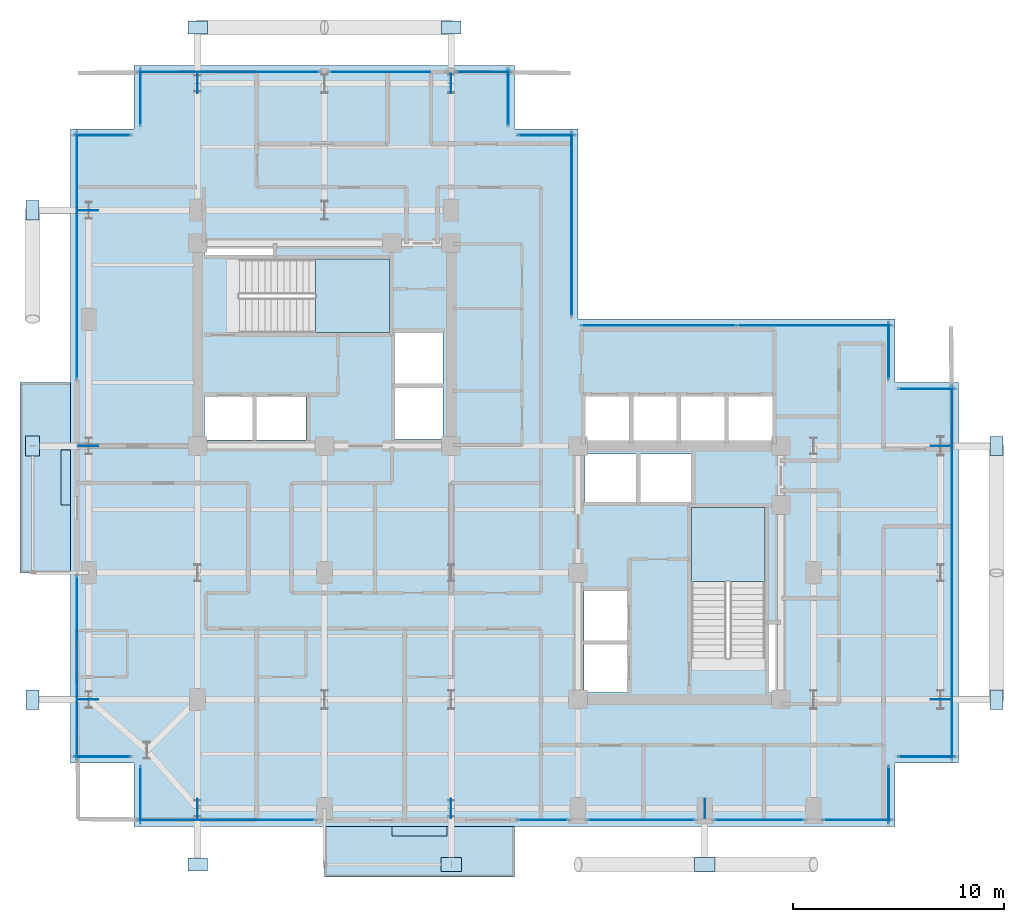
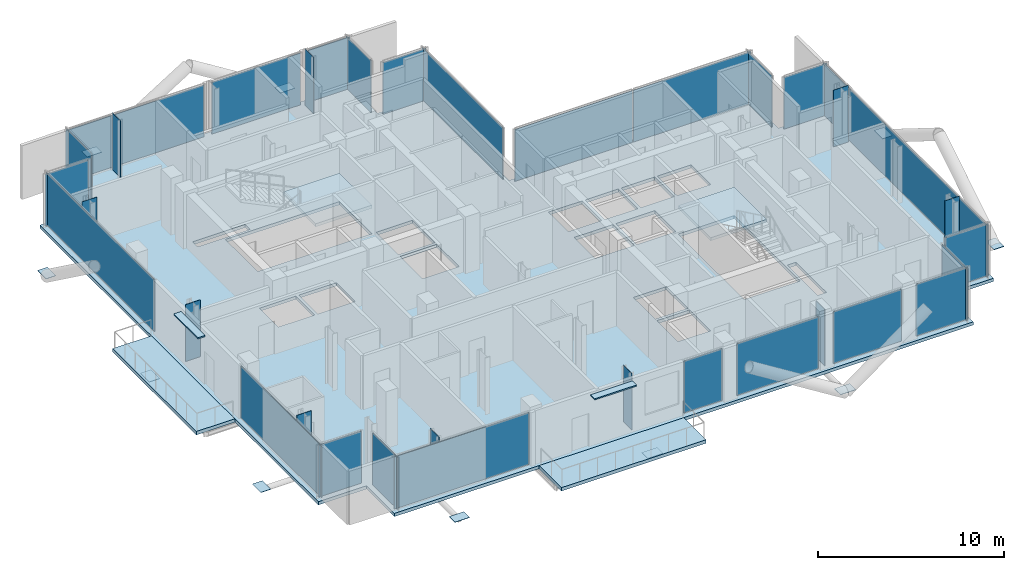
# One storey, part 15 of 22: 46 plates, 5 slabs, 25 elements without a shape of their own.
"""IFC4 building model written with IfcOpenShell, lengths in metres."""

from ifc_helpers import new_model, si_unit, direction, frame, origin, origin_2d, place, context, subcontext, project, spatial, polyline, rectangle, outline, extrude, material, layer, layer_set, type_object, element, aggregate, save


model = new_model("IFC4")

# Units and contexts
model_context = context("Model", 3, precision=1e-05, world=origin(), true_north=direction((0.0, 1.0)))
body_context = subcontext(model_context, "Body", "Model", "MODEL_VIEW")
ifc_project = project(units=[si_unit("LENGTHUNIT", "METRE"), si_unit("AREAUNIT", "SQUARE_METRE"), si_unit("VOLUMEUNIT", "CUBIC_METRE"), si_unit("PLANEANGLEUNIT", "RADIAN"), si_unit("MASSUNIT", "GRAM", prefix="KILO"), si_unit("THERMODYNAMICTEMPERATUREUNIT", "KELVIN"), si_unit("POWERUNIT", "WATT")], contexts=[model_context])

# Site, building, storey
site_placement = place(None, origin())
site = spatial("IfcSite", under=ifc_project, at=site_placement, CompositionType="ELEMENT")
building_placement = place(site_placement, origin())
building = spatial("IfcBuilding", under=site, at=building_placement, Name="Svarakhadi Broadcast Tower", CompositionType="ELEMENT")
storey_placement = place(building_placement, frame((0.0, 0.0, 172.949951171875)))
storey = spatial("IfcBuildingStorey", under=building, at=storey_placement, Name="L42", CompositionType="ELEMENT", Elevation=172.949951171875)

# Curtain wall, plate
ifc_material_1 = material(Name="Anodised Bronze Aluminium AA 6063-T6", Category="aluminium")
ifc_layer_1 = layer(ifc_material_1, 0.18994140625)
ifc_layer_set_1 = layer_set([ifc_layer_1], Name="Anodised Bronze Aluminium AA 6063-T6")
curtain_wall_type = type_object("IfcCurtainWallType", Name="CW_Sys_04", PredefinedType="NOTDEFINED", material=ifc_layer_set_1)
curtain_wall_1_placement = place(storey_placement, origin())
curtain_wall_1 = element("IfcCurtainWall", 1, at=curtain_wall_1_placement, inside=storey, type_object=curtain_wall_type, Name="L42 Unitised Facade Curtain Wall 01", PredefinedType="NOTDEFINED")
ifc_material_2 = material(Name="Double Low-E Laminated Acoustic Glass IGU 36 mm", Category="glass")
ifc_layer_2 = layer(ifc_material_2, 0.033935546875)
ifc_layer_set_2 = layer_set([ifc_layer_2], Name="Double Low-E Laminated Acoustic Glass IGU 36 mm")
plate_type_1 = type_object("IfcPlateType", Name="CW_Sys_04_Pnl", PredefinedType="CURTAIN_PANEL", material=ifc_layer_set_2)
plate_1_placement = place(storey_placement, frame((1.5, 3.300048828125, 0.06494140625), z_axis=(0.0, 0.0, 1.0), x_axis=(-1.0, 0.0, 0.0)))
plate_1 = element("IfcPlate", 2, at=plate_1_placement, type_object=plate_type_1, Name="CW-04 panel 1.1", PredefinedType="CURTAIN_PANEL", context=body_context, shape_type="SweptSolid", body=[
    extrude(rectangle(XDim=2.679931640625, YDim=0.033935546875, at=origin_2d()), origin(), (0.0, 0.0, 1.0), 3.409912109375),
])
aggregate(curtain_wall_1, [plate_1])

curtain_wall_2_placement = place(storey_placement, origin())
curtain_wall_2 = element("IfcCurtainWall", 3, at=curtain_wall_2_placement, inside=storey, type_object=curtain_wall_type, Name="L42 West Curtain Wall 02", PredefinedType="NOTDEFINED")
plate_2_placement = place(storey_placement, frame((0.300048828125, 7.5, 0.06494140625), z_axis=(0.0, 0.0, 1.0), x_axis=(0.0, 1.0, 0.0)))
plate_2 = element("IfcPlate", 4, at=plate_2_placement, type_object=plate_type_1, Name="CW-04 panel 1.1", PredefinedType="CURTAIN_PANEL", context=body_context, shape_type="SweptSolid", body=[
    extrude(rectangle(XDim=8.679931640625, YDim=0.033935546875, at=origin_2d()), origin(), (0.0, 0.0, 1.0), 3.409912109375),
])
aggregate(curtain_wall_2, [plate_2])

curtain_wall_3_placement = place(storey_placement, origin())
curtain_wall_3 = element("IfcCurtainWall", 5, at=curtain_wall_3_placement, inside=storey, type_object=curtain_wall_type, Name="L42 West Curtain Wall 03", PredefinedType="NOTDEFINED")
plate_3_placement = place(storey_placement, frame((0.300048828125, 27.0, 0.06494140625), z_axis=(0.0, 0.0, 1.0), x_axis=(0.0, 1.0, 0.0)))
plate_3 = element("IfcPlate", 6, at=plate_3_placement, type_object=plate_type_1, Name="CW-04 panel 1.1", PredefinedType="CURTAIN_PANEL", context=body_context, shape_type="SweptSolid", body=[
    extrude(rectangle(XDim=11.679931640625, YDim=0.033935546875, at=origin_2d()), origin(), (0.0, 0.0, 1.0), 3.409912109375),
])
aggregate(curtain_wall_3, [plate_3])

curtain_wall_4_placement = place(storey_placement, origin())
curtain_wall_4 = element("IfcCurtainWall", 7, at=curtain_wall_4_placement, inside=storey, type_object=curtain_wall_type, Name="L42 Unitised Facade Curtain Wall 04", PredefinedType="NOTDEFINED")
plate_4_placement = place(storey_placement, frame((1.5, 32.699951171875, 0.06494140625), z_axis=(0.0, 0.0, 1.0), x_axis=(1.0, 0.0, 0.0)))
plate_4 = element("IfcPlate", 8, at=plate_4_placement, type_object=plate_type_1, Name="CW-04 panel 1.1", PredefinedType="CURTAIN_PANEL", context=body_context, shape_type="SweptSolid", body=[
    extrude(rectangle(XDim=2.679931640625, YDim=0.033935546875, at=origin_2d()), origin(), (0.0, 0.0, 1.0), 3.409912109375),
])
aggregate(curtain_wall_4, [plate_4])

curtain_wall_5_placement = place(storey_placement, origin())
curtain_wall_5 = element("IfcCurtainWall", 9, at=curtain_wall_5_placement, inside=storey, type_object=curtain_wall_type, Name="L42 Unitised Facade Curtain Wall 05", PredefinedType="NOTDEFINED")
plate_5_placement = place(storey_placement, frame((3.300048828125, 34.5, 0.06494140625), z_axis=(0.0, 0.0, 1.0), x_axis=(0.0, 1.0, 0.0)))
plate_5 = element("IfcPlate", 10, at=plate_5_placement, type_object=plate_type_1, Name="CW-04 panel 1.1", PredefinedType="CURTAIN_PANEL", context=body_context, shape_type="SweptSolid", body=[
    extrude(rectangle(XDim=2.679931640625, YDim=0.033935546875, at=origin_2d()), origin(), (0.0, 0.0, 1.0), 3.409912109375),
])
aggregate(curtain_wall_5, [plate_5])

curtain_wall_6_placement = place(storey_placement, origin())
curtain_wall_6 = element("IfcCurtainWall", 11, at=curtain_wall_6_placement, inside=storey, type_object=curtain_wall_type, Name="L42 Unitised Facade Curtain Wall 06 Bay 1", PredefinedType="NOTDEFINED")
plate_6_placement = place(storey_placement, frame((7.4599609375, 35.699951171875, 0.06494140625), z_axis=(0.0, 0.0, 1.0), x_axis=(1.0, 0.0, 0.0)))
plate_6 = element("IfcPlate", 12, at=plate_6_placement, type_object=plate_type_1, Name="CW-04 panel 1.1", PredefinedType="CURTAIN_PANEL", context=body_context, shape_type="SweptSolid", body=[
    extrude(rectangle(XDim=8.60009765625, YDim=0.033935546875, at=origin_2d()), origin(), (0.0, 0.0, 1.0), 3.409912109375),
])
aggregate(curtain_wall_6, [plate_6])

curtain_wall_7_placement = place(storey_placement, origin())
curtain_wall_7 = element("IfcCurtainWall", 13, at=curtain_wall_7_placement, inside=storey, type_object=curtain_wall_type, Name="L42 Unitised Facade Curtain Wall 06 Bay 2", PredefinedType="NOTDEFINED")
plate_7_placement = place(storey_placement, frame((15.0, 35.699951171875, 0.06494140625), z_axis=(0.0, 0.0, 1.0), x_axis=(1.0, 0.0, 0.0)))
plate_7 = element("IfcPlate", 14, at=plate_7_placement, type_object=plate_type_1, Name="CW-04 panel 1.1", PredefinedType="CURTAIN_PANEL", context=body_context, shape_type="SweptSolid", body=[
    extrude(rectangle(XDim=5.52001953125, YDim=0.033935546875, at=origin_2d()), origin(), (0.0, 0.0, 1.0), 3.409912109375),
])
aggregate(curtain_wall_7, [plate_7])

curtain_wall_8_placement = place(storey_placement, origin())
curtain_wall_8 = element("IfcCurtainWall", 15, at=curtain_wall_8_placement, inside=storey, type_object=curtain_wall_type, Name="L42 Unitised Facade Curtain Wall 06 Bay 3", PredefinedType="NOTDEFINED")
plate_8_placement = place(storey_placement, frame((19.5400390625, 35.699951171875, 0.06494140625), z_axis=(0.0, 0.0, 1.0), x_axis=(1.0, 0.0, 0.0)))
plate_8 = element("IfcPlate", 16, at=plate_8_placement, type_object=plate_type_1, Name="CW-04 panel 1.1", PredefinedType="CURTAIN_PANEL", context=body_context, shape_type="SweptSolid", body=[
    extrude(rectangle(XDim=2.60009765625, YDim=0.033935546875, at=origin_2d()), origin(), (0.0, 0.0, 1.0), 3.409912109375),
])
aggregate(curtain_wall_8, [plate_8])

curtain_wall_9_placement = place(storey_placement, origin())
curtain_wall_9 = element("IfcCurtainWall", 17, at=curtain_wall_9_placement, inside=storey, type_object=curtain_wall_type, Name="L42 Unitised Facade Curtain Wall 07", PredefinedType="NOTDEFINED")
plate_9_placement = place(storey_placement, frame((20.699951171875, 34.5, 0.06494140625), z_axis=(0.0, 0.0, 1.0), x_axis=(0.0, -1.0, 0.0)))
plate_9 = element("IfcPlate", 18, at=plate_9_placement, type_object=plate_type_1, Name="CW-04 panel 1.1", PredefinedType="CURTAIN_PANEL", context=body_context, shape_type="SweptSolid", body=[
    extrude(rectangle(XDim=2.679931640625, YDim=0.033935546875, at=origin_2d()), origin(), (0.0, 0.0, 1.0), 3.409912109375),
])
aggregate(curtain_wall_9, [plate_9])

curtain_wall_10_placement = place(storey_placement, origin())
curtain_wall_10 = element("IfcCurtainWall", 19, at=curtain_wall_10_placement, inside=storey, type_object=curtain_wall_type, Name="L42 Unitised Facade Curtain Wall 08", PredefinedType="NOTDEFINED")
plate_10_placement = place(storey_placement, frame((22.5, 32.699951171875, 0.06494140625), z_axis=(0.0, 0.0, 1.0), x_axis=(1.0, 0.0, 0.0)))
plate_10 = element("IfcPlate", 20, at=plate_10_placement, type_object=plate_type_1, Name="CW-04 panel 1.1", PredefinedType="CURTAIN_PANEL", context=body_context, shape_type="SweptSolid", body=[
    extrude(rectangle(XDim=2.679931640625, YDim=0.033935546875, at=origin_2d()), origin(), (0.0, 0.0, 1.0), 3.409912109375),
])
aggregate(curtain_wall_10, [plate_10])

curtain_wall_11_placement = place(storey_placement, origin())
curtain_wall_11 = element("IfcCurtainWall", 21, at=curtain_wall_11_placement, inside=storey, type_object=curtain_wall_type, Name="L42 Unitised Facade Curtain Wall 09", PredefinedType="NOTDEFINED")
plate_11_placement = place(storey_placement, frame((23.699951171875, 28.5, 0.06494140625), z_axis=(0.0, 0.0, 1.0), x_axis=(0.0, -1.0, 0.0)))
plate_11 = element("IfcPlate", 22, at=plate_11_placement, type_object=plate_type_1, Name="CW-04 panel 1.1", PredefinedType="CURTAIN_PANEL", context=body_context, shape_type="SweptSolid", body=[
    extrude(rectangle(XDim=8.679931640625, YDim=0.033935546875, at=origin_2d()), origin(), (0.0, 0.0, 1.0), 3.409912109375),
])
aggregate(curtain_wall_11, [plate_11])

# Curtain wall, plates
curtain_wall_12_placement = place(storey_placement, origin())
curtain_wall_12 = element("IfcCurtainWall", 23, at=curtain_wall_12_placement, inside=storey, type_object=curtain_wall_type, Name="L42 Unitised Facade Curtain Wall 10", PredefinedType="NOTDEFINED")
plate_12_placement = place(storey_placement, frame((27.8125, 23.699951171875, 0.06494140625), z_axis=(0.0, 0.0, 1.0), x_axis=(1.0, 0.0, 0.0)))
plate_12 = element("IfcPlate", 24, at=plate_12_placement, type_object=plate_type_1, Name="CW-04 panel 1.1", PredefinedType="CURTAIN_PANEL", context=body_context, shape_type="SweptSolid", body=[
    extrude(rectangle(XDim=7.304931640625, YDim=0.033935546875, at=origin_2d()), origin(), (0.0, 0.0, 1.0), 3.409912109375),
])
plate_13_placement = place(storey_placement, frame((35.1875, 23.699951171875, 0.06494140625), z_axis=(0.0, 0.0, 1.0), x_axis=(1.0, 0.0, 0.0)))
plate_13 = element("IfcPlate", 25, at=plate_13_placement, type_object=plate_type_1, Name="CW-04 panel 2.1", PredefinedType="CURTAIN_PANEL", context=body_context, shape_type="SweptSolid", body=[
    extrude(rectangle(XDim=7.304931640625, YDim=0.033935546875, at=origin_2d()), origin(), (0.0, 0.0, 1.0), 3.409912109375),
])
aggregate(curtain_wall_12, [plate_12, plate_13])

# Curtain wall, plate
curtain_wall_13_placement = place(storey_placement, origin())
curtain_wall_13 = element("IfcCurtainWall", 26, at=curtain_wall_13_placement, inside=storey, type_object=curtain_wall_type, Name="L42 Unitised Facade Curtain Wall 11", PredefinedType="NOTDEFINED")
plate_14_placement = place(storey_placement, frame((38.699951171875, 22.5, 0.06494140625), z_axis=(0.0, 0.0, 1.0), x_axis=(0.0, -1.0, 0.0)))
plate_14 = element("IfcPlate", 27, at=plate_14_placement, type_object=plate_type_1, Name="CW-04 panel 1.1", PredefinedType="CURTAIN_PANEL", context=body_context, shape_type="SweptSolid", body=[
    extrude(rectangle(XDim=2.679931640625, YDim=0.033935546875, at=origin_2d()), origin(), (0.0, 0.0, 1.0), 3.409912109375),
])
aggregate(curtain_wall_13, [plate_14])

curtain_wall_14_placement = place(storey_placement, origin())
curtain_wall_14 = element("IfcCurtainWall", 28, at=curtain_wall_14_placement, inside=storey, type_object=curtain_wall_type, Name="L42 Unitised Facade Curtain Wall 12", PredefinedType="NOTDEFINED")
plate_15_placement = place(storey_placement, frame((40.5, 20.699951171875, 0.06494140625), z_axis=(0.0, 0.0, 1.0), x_axis=(1.0, 0.0, 0.0)))
plate_15 = element("IfcPlate", 29, at=plate_15_placement, type_object=plate_type_1, Name="CW-04 panel 1.1", PredefinedType="CURTAIN_PANEL", context=body_context, shape_type="SweptSolid", body=[
    extrude(rectangle(XDim=2.679931640625, YDim=0.033935546875, at=origin_2d()), origin(), (0.0, 0.0, 1.0), 3.409912109375),
])
aggregate(curtain_wall_14, [plate_15])

curtain_wall_15_placement = place(storey_placement, origin())
curtain_wall_15 = element("IfcCurtainWall", 30, at=curtain_wall_15_placement, inside=storey, type_object=curtain_wall_type, Name="L42 Unitised Facade Curtain Wall 13", PredefinedType="NOTDEFINED")
plate_16_placement = place(storey_placement, frame((41.699951171875, 12.0, 0.06494140625), z_axis=(0.0, 0.0, 1.0), x_axis=(0.0, -1.0, 0.0)))
plate_16 = element("IfcPlate", 31, at=plate_16_placement, type_object=plate_type_1, Name="CW-04 panel 1.1", PredefinedType="CURTAIN_PANEL", context=body_context, shape_type="SweptSolid", body=[
    extrude(rectangle(XDim=17.679931640625, YDim=0.033935546875, at=origin_2d()), origin(), (0.0, 0.0, 1.0), 3.409912109375),
])
aggregate(curtain_wall_15, [plate_16])

curtain_wall_16_placement = place(storey_placement, origin())
curtain_wall_16 = element("IfcCurtainWall", 32, at=curtain_wall_16_placement, inside=storey, type_object=curtain_wall_type, Name="L42 Unitised Facade Curtain Wall 14", PredefinedType="NOTDEFINED")
plate_17_placement = place(storey_placement, frame((40.5, 3.300048828125, 0.06494140625), z_axis=(0.0, 0.0, 1.0), x_axis=(-1.0, 0.0, 0.0)))
plate_17 = element("IfcPlate", 33, at=plate_17_placement, type_object=plate_type_1, Name="CW-04 panel 1.1", PredefinedType="CURTAIN_PANEL", context=body_context, shape_type="SweptSolid", body=[
    extrude(rectangle(XDim=2.679931640625, YDim=0.033935546875, at=origin_2d()), origin(), (0.0, 0.0, 1.0), 3.409912109375),
])
aggregate(curtain_wall_16, [plate_17])

curtain_wall_17_placement = place(storey_placement, origin())
curtain_wall_17 = element("IfcCurtainWall", 34, at=curtain_wall_17_placement, inside=storey, type_object=curtain_wall_type, Name="L42 Unitised Facade Curtain Wall 15", PredefinedType="NOTDEFINED")
plate_18_placement = place(storey_placement, frame((38.699951171875, 1.5, 0.06494140625), z_axis=(0.0, 0.0, 1.0), x_axis=(0.0, -1.0, 0.0)))
plate_18 = element("IfcPlate", 35, at=plate_18_placement, type_object=plate_type_1, Name="CW-04 panel 1.1", PredefinedType="CURTAIN_PANEL", context=body_context, shape_type="SweptSolid", body=[
    extrude(rectangle(XDim=2.679931640625, YDim=0.033935546875, at=origin_2d()), origin(), (0.0, 0.0, 1.0), 3.409912109375),
])
aggregate(curtain_wall_17, [plate_18])

curtain_wall_18_placement = place(storey_placement, origin())
curtain_wall_18 = element("IfcCurtainWall", 36, at=curtain_wall_18_placement, inside=storey, type_object=curtain_wall_type, Name="L42 South Curtain Wall 16 Bay 1", PredefinedType="NOTDEFINED")
plate_19_placement = place(storey_placement, frame((37.2275390625, 0.300048828125, 0.06494140625), z_axis=(0.0, 0.0, 1.0), x_axis=(-1.0, 0.0, 0.0)))
plate_19 = element("IfcPlate", 37, at=plate_19_placement, type_object=plate_type_1, Name="CW-04 panel 1.1", PredefinedType="CURTAIN_PANEL", context=body_context, shape_type="SweptSolid", body=[
    extrude(rectangle(XDim=3.22509765625, YDim=0.033935546875, at=origin_2d()), origin(), (0.0, 0.0, 1.0), 3.409912109375),
])
aggregate(curtain_wall_18, [plate_19])

curtain_wall_19_placement = place(storey_placement, origin())
curtain_wall_19 = element("IfcCurtainWall", 38, at=curtain_wall_19_placement, inside=storey, type_object=curtain_wall_type, Name="L42 South Curtain Wall 16 Bay 2", PredefinedType="NOTDEFINED")
plate_20_placement = place(storey_placement, frame((32.574951171875, 0.300048828125, 0.06494140625), z_axis=(0.0, 0.0, 1.0), x_axis=(-1.0, 0.0, 0.0)))
plate_20 = element("IfcPlate", 39, at=plate_20_placement, type_object=plate_type_1, Name="CW-04 panel 1.1", PredefinedType="CURTAIN_PANEL", context=body_context, shape_type="SweptSolid", body=[
    extrude(rectangle(XDim=4.219970703125, YDim=0.033935546875, at=origin_2d()), origin(), (0.0, 0.0, 1.0), 3.409912109375),
])
aggregate(curtain_wall_19, [plate_20])

curtain_wall_20_placement = place(storey_placement, origin())
curtain_wall_20 = element("IfcCurtainWall", 40, at=curtain_wall_20_placement, inside=storey, type_object=curtain_wall_type, Name="L42 South Curtain Wall 16 Bay 3", PredefinedType="NOTDEFINED")
plate_21_placement = place(storey_placement, frame((27.0, 0.300048828125, 0.06494140625), z_axis=(0.0, 0.0, 1.0), x_axis=(-1.0, 0.0, 0.0)))
plate_21 = element("IfcPlate", 41, at=plate_21_placement, type_object=plate_type_1, Name="CW-04 panel 1.1", PredefinedType="CURTAIN_PANEL", context=body_context, shape_type="SweptSolid", body=[
    extrude(rectangle(XDim=5.070068359375, YDim=0.033935546875, at=origin_2d()), origin(), (0.0, 0.0, 1.0), 3.409912109375),
])
aggregate(curtain_wall_20, [plate_21])

curtain_wall_21_placement = place(storey_placement, origin())
curtain_wall_21 = element("IfcCurtainWall", 42, at=curtain_wall_21_placement, inside=storey, type_object=curtain_wall_type, Name="L42 South Curtain Wall 16 Bay 4", PredefinedType="NOTDEFINED")
plate_22_placement = place(storey_placement, frame((22.347412109375, 0.300048828125, 0.06494140625), z_axis=(0.0, 0.0, 1.0), x_axis=(-1.0, 0.0, 0.0)))
plate_22 = element("IfcPlate", 43, at=plate_22_placement, type_object=plate_type_1, Name="CW-04 panel 1.1", PredefinedType="CURTAIN_PANEL", context=body_context, shape_type="SweptSolid", body=[
    extrude(rectangle(XDim=2.375, YDim=0.033935546875, at=origin_2d()), origin(), (0.0, 0.0, 1.0), 3.409912109375),
])
aggregate(curtain_wall_21, [plate_22])

curtain_wall_22_placement = place(storey_placement, origin())
curtain_wall_22 = element("IfcCurtainWall", 44, at=curtain_wall_22_placement, inside=storey, type_object=curtain_wall_type, Name="L42 South Curtain Wall 17", PredefinedType="NOTDEFINED")
plate_23_placement = place(storey_placement, frame((7.347412109375, 0.300048828125, 0.06494140625), z_axis=(0.0, 0.0, 1.0), x_axis=(-1.0, 0.0, 0.0)))
plate_23 = element("IfcPlate", 45, at=plate_23_placement, type_object=plate_type_1, Name="CW-04 panel 1.1", PredefinedType="CURTAIN_PANEL", context=body_context, shape_type="SweptSolid", body=[
    extrude(rectangle(XDim=8.375, YDim=0.033935546875, at=origin_2d()), origin(), (0.0, 0.0, 1.0), 3.409912109375),
])
aggregate(curtain_wall_22, [plate_23])

curtain_wall_23_placement = place(storey_placement, origin())
curtain_wall_23 = element("IfcCurtainWall", 46, at=curtain_wall_23_placement, inside=storey, type_object=curtain_wall_type, Name="L42 Unitised Facade Curtain Wall 18", PredefinedType="NOTDEFINED")
plate_24_placement = place(storey_placement, frame((3.300048828125, 1.5, 0.06494140625), z_axis=(0.0, 0.0, 1.0), x_axis=(0.0, 1.0, 0.0)))
plate_24 = element("IfcPlate", 47, at=plate_24_placement, type_object=plate_type_1, Name="CW-04 panel 1.1", PredefinedType="CURTAIN_PANEL", context=body_context, shape_type="SweptSolid", body=[
    extrude(rectangle(XDim=2.679931640625, YDim=0.033935546875, at=origin_2d()), origin(), (0.0, 0.0, 1.0), 3.409912109375),
])
aggregate(curtain_wall_23, [plate_24])

# Plates
ifc_material_3 = material(Name="Steel S460ML (IS 2062 E450BR)", Category="steel")
ifc_layer_3 = layer(ifc_material_3, 0.028076171875)
ifc_layer_set_3 = layer_set([ifc_layer_3], Name="Steel S460ML (IS 2062 E450BR)")
plate_type_2 = type_object("IfcPlateType", Name="Node_Gusset_N03", PredefinedType="SHEET", material=ifc_layer_set_3)
for number, where, z_axis, x_axis, name in (
    (48, (18.0, -1.800048828125, -0.2099609375), (0.0, 0.0, 1.0), (1.0, 0.0, 0.0), "L42 Exoskeleton Gusset Node Plate S02"),
    (49, (30.0, -1.800048828125, -0.2099609375), (0.0, 0.0, 1.0), (1.0, 0.0, 0.0), "L42 Exoskeleton Gusset Node Plate S03"),
    (50, (-1.800048828125, 18.0, -0.2099609375), (0.0, 0.0, 1.0), (0.0, 1.0, 0.0), "L42 Exoskeleton Gusset Node Plate W05"),
):
    element("IfcPlate", number, at=place(storey_placement, frame(where, z_axis=z_axis, x_axis=x_axis)), inside=storey, type_object=plate_type_2, Name=name, PredefinedType="SHEET", context=body_context, shape_type="SweptSolid", body=[
        extrude(rectangle(XDim=0.9599609375, YDim=0.659912109375, at=origin_2d()), origin(), (0.0, 0.0, 1.0), 0.028076171875),
    ])
ifc_layer_4 = layer(ifc_material_3, 0.02587890625)
ifc_layer_set_4 = layer_set([ifc_layer_4], Name="Steel S460ML (IS 2062 E450BR)")
plate_type_3 = type_object("IfcPlateType", Name="Node_Gusset_N07", PredefinedType="SHEET", material=ifc_layer_set_4)
for number, where, z_axis, x_axis, name in (
    (51, (6.0, -1.800048828125, -0.2099609375), (0.0, 0.0, 1.0), (1.0, 0.0, 0.0), "L42 Exoskeleton Gusset Node Plate S01"),
    (52, (-1.800048828125, 6.0, -0.2099609375), (0.0, 0.0, 1.0), (0.0, 1.0, 0.0), "L42 Exoskeleton Gusset Node Plate W04"),
    (53, (-1.800048828125, 29.14990234375, -0.2099609375), (0.0, 0.0, 1.0), (0.0, 1.0, 0.0), "L42 Exoskeleton Gusset Node Plate W06"),
    (54, (43.800048828125, 6.0, -0.2099609375), (0.0, 0.0, 1.0), (0.0, 1.0, 0.0), "L42 Exoskeleton Gusset Node Plate E07"),
    (55, (43.800048828125, 18.0, -0.2099609375), (0.0, 0.0, 1.0), (0.0, 1.0, 0.0), "L42 Exoskeleton Gusset Node Plate E08"),
    (56, (6.0, 37.800048828125, -0.2099609375), (0.0, 0.0, 1.0), (1.0, 0.0, 0.0), "L42 Exoskeleton Gusset Node Plate N09"),
    (57, (18.0, 37.800048828125, -0.2099609375), (0.0, 0.0, 1.0), (1.0, 0.0, 0.0), "L42 Exoskeleton Gusset Node Plate N10"),
):
    element("IfcPlate", number, at=place(storey_placement, frame(where, z_axis=z_axis, x_axis=x_axis)), inside=storey, type_object=plate_type_3, Name=name, PredefinedType="SHEET", context=body_context, shape_type="SweptSolid", body=[
        extrude(rectangle(XDim=0.919921875, YDim=0.6201171875, at=origin_2d()), origin(), (0.0, 0.0, 1.0), 0.02587890625),
    ])
for number, where, z_axis, x_axis, name in (
    (58, (6.0, 0.85009765625, -0.57177734375), (0.0, 0.0, 1.0), (0.0, 1.0, 0.0), "L42 Brace End Connection Gusset Plate N-07-E0348"),
    (59, (18.0, 0.85009765625, -0.57177734375), (0.0, 0.0, 1.0), (0.0, 1.0, 0.0), "L42 Brace End Connection Gusset Plate N-07-E0349"),
    (60, (30.0, 0.85009765625, -0.57177734375), (0.0, 0.0, 1.0), (0.0, 1.0, 0.0), "L42 Brace End Connection Gusset Plate N-07-E0350"),
    (61, (0.85009765625, 6.0, -0.57177734375), (0.0, 0.0, 1.0), (1.0, 0.0, 0.0), "L42 Brace End Connection Gusset Plate N-07-E0351"),
    (62, (0.85009765625, 18.0, -0.57177734375), (0.0, 0.0, 1.0), (1.0, 0.0, 0.0), "L42 Brace End Connection Gusset Plate N-07-E0352"),
    (63, (0.85009765625, 29.14990234375, -0.57177734375), (0.0, 0.0, 1.0), (1.0, 0.0, 0.0), "L42 Brace End Connection Gusset Plate N-07-E0353"),
    (64, (41.14990234375, 6.0, -0.57177734375), (0.0, 0.0, 1.0), (1.0, 0.0, 0.0), "L42 Brace End Connection Gusset Plate N-07-E0354"),
    (65, (41.14990234375, 18.0, -0.57177734375), (0.0, 0.0, 1.0), (1.0, 0.0, 0.0), "L42 Brace End Connection Gusset Plate N-07-E0355"),
    (66, (6.0, 35.14990234375, -0.57177734375), (0.0, 0.0, 1.0), (0.0, 1.0, 0.0), "L42 Brace End Connection Gusset Plate N-07-E0356"),
    (67, (18.0, 35.14990234375, -0.57177734375), (0.0, 0.0, 1.0), (0.0, 1.0, 0.0), "L42 Brace End Connection Gusset Plate N-07-E0357"),
):
    element("IfcPlate", number, at=place(storey_placement, frame(where, z_axis=z_axis, x_axis=x_axis)), inside=storey, type_object=plate_type_3, Name=name, PredefinedType="SHEET", context=body_context, shape_type="SweptSolid", body=[
        extrude(rectangle(XDim=0.919921875, YDim=0.02587890625, at=origin_2d()), origin(), (0.0, 0.0, 1.0), 4.300048828125),
    ])

# Slab
ifc_material_4 = material(Name="Concrete C40/50 (IS 456 M50)", Category="concrete")
ifc_layer_5 = layer(ifc_material_4, 0.2099609375)
ifc_layer_set_5 = layer_set([ifc_layer_5], Name="Concrete C40/50 (IS 456 M50)")
slab_type_1 = type_object("IfcSlabType", Name="Slab_Floor_210", PredefinedType="FLOOR", material=ifc_layer_set_5)
slab_1_placement = place(storey_placement, frame((0.0, 0.0, -0.2099609375)))
element("IfcSlab", 68, at=slab_1_placement, inside=storey, type_object=slab_type_1, Name="L42 Structural Floor Slab", PredefinedType="FLOOR", context=body_context, shape_type="SweptSolid", body=[
    extrude(outline(polyline([(3.0, 0.0), (39.0, 0.0), (39.0, 3.0), (42.0, 3.0), (42.0, 21.0), (39.0, 21.0), (39.0, 24.0), (24.0, 24.0), (24.0, 33.0), (21.0, 33.0), (21.0, 36.0), (3.0, 36.0), (3.0, 33.0), (0.0, 33.0), (0.0, 3.0), (3.0, 3.0), (3.0, 0.0)]), holes=[polyline([(7.97998046875, 23.360107421875), (15.080078125, 23.360107421875), (15.080078125, 26.840087890625), (7.97998046875, 26.840087890625), (7.97998046875, 23.360107421875)]), polyline([(32.840087890625, 7.97998046875), (32.840087890625, 15.080078125), (29.360107421875, 15.080078125), (29.360107421875, 7.97998046875), (32.840087890625, 7.97998046875)]), polyline([(6.340087890625, 18.2900390625), (8.610107421875, 18.2900390625), (8.610107421875, 20.330078125), (6.340087890625, 20.330078125), (6.340087890625, 18.2900390625)]), polyline([(8.7900390625, 18.2900390625), (11.1298828125, 18.2900390625), (11.1298828125, 20.330078125), (8.7900390625, 20.330078125), (8.7900390625, 18.2900390625)]), polyline([(24.2900390625, 6.340087890625), (26.330078125, 6.340087890625), (26.330078125, 8.610107421875), (24.2900390625, 8.610107421875), (24.2900390625, 6.340087890625)]), polyline([(24.2900390625, 8.7900390625), (26.330078125, 8.7900390625), (26.330078125, 11.1298828125), (24.2900390625, 11.1298828125), (24.2900390625, 8.7900390625)]), polyline([(6.340087890625, 26.989990234375), (9.610107421875, 26.989990234375), (9.610107421875, 27.530029296875), (6.340087890625, 27.530029296875), (6.340087890625, 26.989990234375)]), polyline([(32.989990234375, 6.340087890625), (33.530029296875, 6.340087890625), (33.530029296875, 9.610107421875), (32.989990234375, 9.610107421875), (32.989990234375, 6.340087890625)]), polyline([(15.340087890625, 18.340087890625), (17.610107421875, 18.340087890625), (17.610107421875, 20.760009765625), (15.340087890625, 20.760009765625), (15.340087890625, 18.340087890625)]), polyline([(15.340087890625, 20.93994140625), (17.610107421875, 20.93994140625), (17.610107421875, 23.360107421875), (15.340087890625, 23.360107421875), (15.340087890625, 20.93994140625)]), polyline([(24.340087890625, 15.340087890625), (26.760009765625, 15.340087890625), (26.760009765625, 17.610107421875), (24.340087890625, 17.610107421875), (24.340087890625, 15.340087890625)]), polyline([(26.93994140625, 15.340087890625), (29.360107421875, 15.340087890625), (29.360107421875, 17.610107421875), (26.93994140625, 17.610107421875), (26.93994140625, 15.340087890625)]), polyline([(24.340087890625, 18.239990234375), (26.429931640625, 18.239990234375), (26.429931640625, 20.360107421875), (24.340087890625, 20.360107421875), (24.340087890625, 18.239990234375)]), polyline([(26.610107421875, 18.239990234375), (28.679931640625, 18.239990234375), (28.679931640625, 20.360107421875), (26.610107421875, 20.360107421875), (26.610107421875, 18.239990234375)]), polyline([(28.860107421875, 18.239990234375), (30.929931640625, 18.239990234375), (30.929931640625, 20.360107421875), (28.860107421875, 20.360107421875), (28.860107421875, 18.239990234375)]), polyline([(31.110107421875, 18.239990234375), (33.2099609375, 18.239990234375), (33.2099609375, 20.360107421875), (31.110107421875, 20.360107421875), (31.110107421875, 18.239990234375)])]), origin(), (0.0, 0.0, 1.0), 0.2099609375),
])

# Stair, slab
stair_type = type_object("IfcStairType", Name="Stair_Exit_Core", PredefinedType="HALF_TURN_STAIR", material=ifc_material_4)
stair_1_placement = place(storey_placement, origin())
stair_1 = element("IfcStair", 69, at=stair_1_placement, inside=storey, type_object=stair_type, Name="L42 West Core Protected Exit Stair ST-01", PredefinedType="HALF_TURN_STAIR")
ifc_layer_6 = layer(ifc_material_4, 0.199951171875)
ifc_layer_set_6 = layer_set([ifc_layer_6], Name="Concrete C40/50 (IS 456 M50)")
slab_type_2 = type_object("IfcSlabType", Name="Slab_Stair_Land", PredefinedType="LANDING", material=ifc_layer_set_6)
slab_2_placement = place(storey_placement, frame((0.0, 0.0, 1.675048828125)))
slab_2 = element("IfcSlab", 70, at=slab_2_placement, type_object=slab_type_2, Name="ST-01 landing 1", PredefinedType="LANDING", context=body_context, shape_type="SweptSolid", body=[
    extrude(outline(polyline([(11.580078125, 23.360107421875), (15.080078125, 23.360107421875), (15.080078125, 26.840087890625), (11.580078125, 26.840087890625), (11.580078125, 23.360107421875)])), origin(), (0.0, 0.0, 1.0), 0.199951171875),
])
aggregate(stair_1, [slab_2])

stair_2_placement = place(storey_placement, origin())
stair_2 = element("IfcStair", 71, at=stair_2_placement, inside=storey, type_object=stair_type, Name="L42 East Core Protected Exit Stair ST-02", PredefinedType="HALF_TURN_STAIR")
slab_3_placement = place(storey_placement, frame((0.0, 0.0, 1.675048828125)))
slab_3 = element("IfcSlab", 72, at=slab_3_placement, type_object=slab_type_2, Name="ST-02 landing 1", PredefinedType="LANDING", context=body_context, shape_type="SweptSolid", body=[
    extrude(outline(polyline([(32.840087890625, 11.580078125), (32.840087890625, 15.080078125), (29.360107421875, 15.080078125), (29.360107421875, 11.580078125), (32.840087890625, 11.580078125)])), origin(), (0.0, 0.0, 1.0), 0.199951171875),
])
aggregate(stair_2, [slab_3])

# Slabs
ifc_layer_7 = layer(ifc_material_4, 0.22509765625)
ifc_layer_set_7 = layer_set([ifc_layer_7], Name="Concrete C40/50 (IS 456 M50)")
slab_type_3 = type_object("IfcSlabType", Name="Slab_TreeBalcony", PredefinedType="FLOOR", material=ifc_layer_set_7)
slab_4_placement = place(storey_placement, frame((0.0, 0.0, -0.224853515625)))
element("IfcSlab", 73, at=slab_4_placement, inside=storey, type_object=slab_type_3, Name="L42 Planted Tree Balcony Slab BAL-S", PredefinedType="FLOOR", context=body_context, shape_type="SweptSolid", body=[
    extrude(outline(polyline([(12.0, -2.39990234375), (21.0, -2.39990234375), (21.0, 0.0), (12.0, 0.0), (12.0, -2.39990234375)])), origin(), (0.0, 0.0, 1.0), 0.224853515625),
])
slab_5_placement = place(storey_placement, frame((0.0, 0.0, -0.224853515625)))
element("IfcSlab", 74, at=slab_5_placement, inside=storey, type_object=slab_type_3, Name="L42 Planted Tree Balcony Slab BAL-W", PredefinedType="FLOOR", context=body_context, shape_type="SweptSolid", body=[
    extrude(outline(polyline([(-2.39990234375, 12.0), (0.0, 12.0), (0.0, 21.0), (-2.39990234375, 21.0), (-2.39990234375, 12.0)])), origin(), (0.0, 0.0, 1.0), 0.224853515625),
])

# Plates
ifc_layer_8 = layer(ifc_material_1, 0.080078125)
ifc_layer_set_8 = layer_set([ifc_layer_8], Name="Anodised Bronze Aluminium AA 6063-T6")
plate_type_4 = type_object("IfcPlateType", Name="Sunshade_Fin_SS01", PredefinedType="USERDEFINED", material=ifc_layer_set_8)
for number, where, z_axis, x_axis, name in (
    (75, (16.5, -0.22509765625, 3.4599609375), (0.0, 0.0, 1.0), (1.0, 0.0, 0.0), "L42 South Bronze Brise-Soleil Sunshade SS-01"),
    (76, (-0.22509765625, 16.5, 3.4599609375), (0.0, 0.0, 1.0), (0.0, 1.0, 0.0), "L42 West Bronze Brise-Soleil Sunshade SS-01"),
):
    element("IfcPlate", number, at=place(storey_placement, frame(where, z_axis=z_axis, x_axis=x_axis)), inside=storey, type_object=plate_type_4, Name=name, ObjectType="SUNSHADE", PredefinedType="USERDEFINED", context=body_context, shape_type="SweptSolid", body=[
        extrude(rectangle(XDim=2.60009765625, YDim=0.449951171875, at=origin_2d()), origin(), (0.0, 0.0, 1.0), 0.080078125),
    ])

save(model, "model.ifc")
